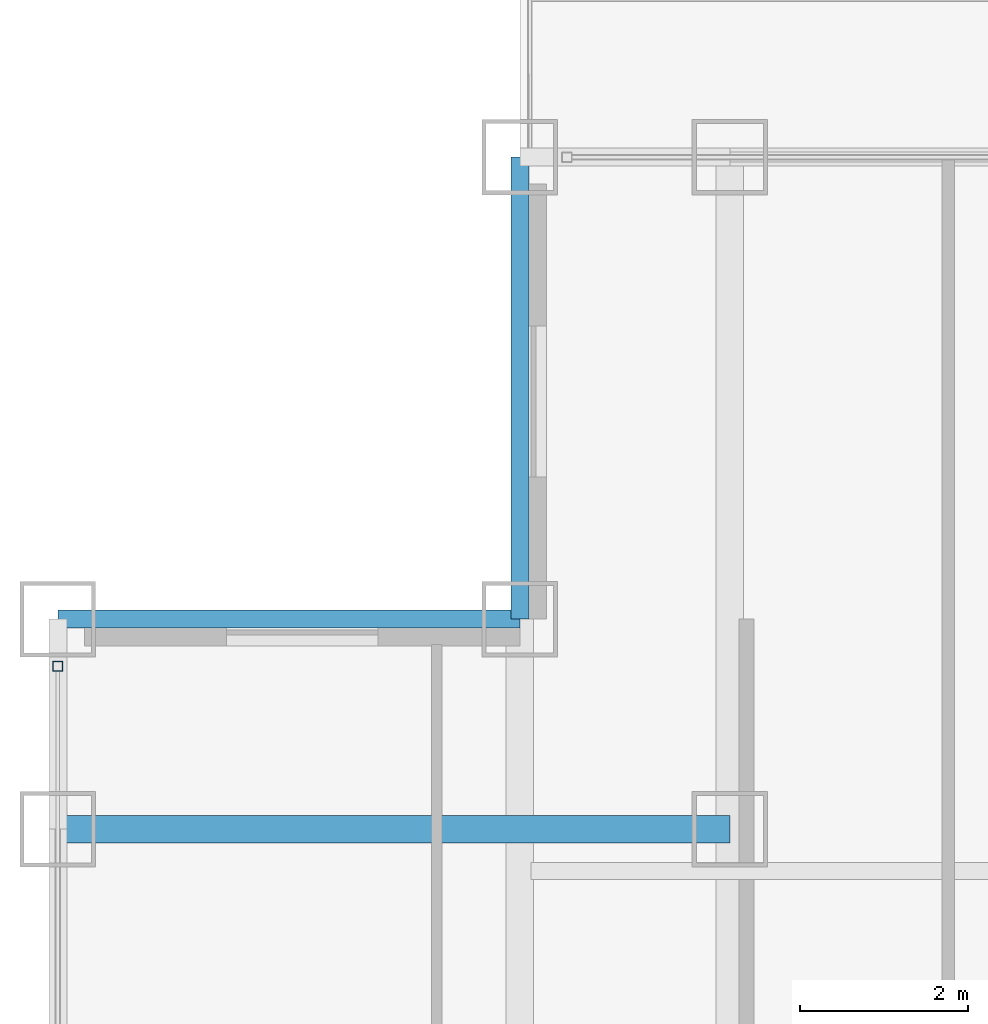
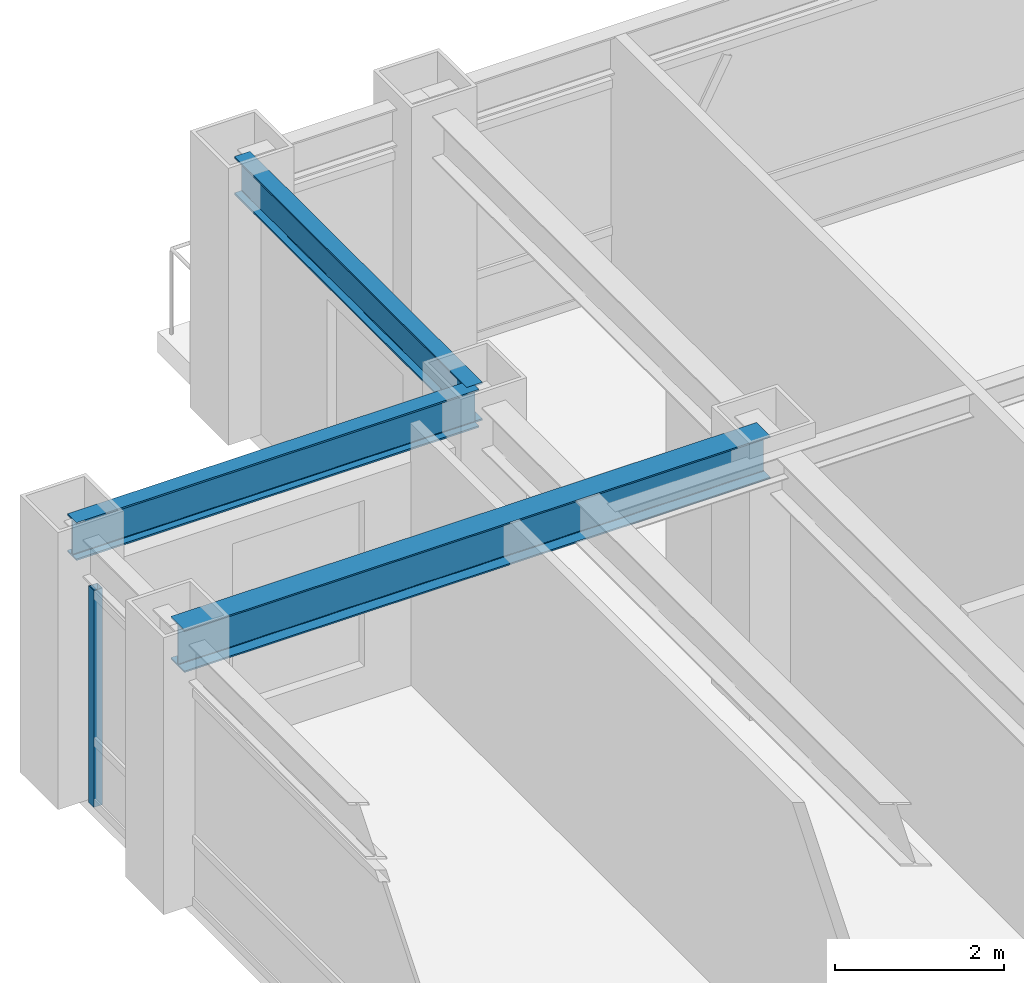
# One storey, part 15 of 32: 3 beams, 1 member, 1 element without a shape of its own.
"""IFC4 building model written with IfcOpenShell, lengths in metres."""

from ifc_helpers import new_model, si_unit, direction, frame, origin, origin_2d, place, context, subcontext, project, spatial, hollow_rectangle, i_section, extrude, source, transform, mapped, material, material_profile, profile_set, type_object, element, aggregate, save


model = new_model("IFC4")

# Units and contexts
model_context = context("Model", 3, precision=1e-05, world=origin(), true_north=direction((0.0, 1.0)))
body_context = subcontext(model_context, "Body", "Model", "MODEL_VIEW")
ifc_project = project(units=[si_unit("LENGTHUNIT", "METRE"), si_unit("AREAUNIT", "SQUARE_METRE"), si_unit("VOLUMEUNIT", "CUBIC_METRE"), si_unit("PLANEANGLEUNIT", "RADIAN"), si_unit("MASSUNIT", "GRAM", prefix="KILO")], contexts=[model_context])

# Site, building, storey
site_placement = place(None, origin())
site = spatial("IfcSite", under=ifc_project, at=site_placement, CompositionType="ELEMENT")
building_placement = place(site_placement, origin())
building = spatial("IfcBuilding", under=site, at=building_placement, Name="Khorayat Bourse Tower", CompositionType="ELEMENT")
storey_placement = place(building_placement, frame((0.0, 0.0, 273.5)))
storey = spatial("IfcBuildingStorey", under=building, at=storey_placement, Name="L64", CompositionType="ELEMENT", Elevation=273.5)

# Beams
ifc_material_1 = material(Name="Steel ASTM A992 Grade 50", Category="steel")
ifc_material_profile_1 = material_profile(ifc_material_1, i_section(OverallWidth=0.324951171875, OverallDepth=0.615966796875, WebThickness=0.013916015625, FlangeThickness=0.021484375, FilletRadius=0.01611328125, at=origin_2d()), Name="W610X174")
ifc_profile_set_1 = profile_set([ifc_material_profile_1], Name="Steel ASTM A992 Grade 50")
beam_type_1 = type_object("IfcBeamType", Name="BM-GIRD-610", PredefinedType="BEAM", material=ifc_profile_set_1)
shared_shape_1 = source(origin(), body_context, "Body", "SweptSolid", [
    extrude(i_section(OverallWidth=0.324951171875, OverallDepth=0.615966796875, WebThickness=0.013916015625, FlangeThickness=0.021484375, FilletRadius=0.01611328125, at=origin_2d()), origin(), (0.0, 0.0, 1.0), 8.0),
])
beam_placement = place(storey_placement, frame((-28.0, 20.0, 3.471923828125), z_axis=(1.0, 0.0, 0.0), x_axis=(0.0, 1.0, 0.0)))
element("IfcBeam", 1, at=beam_placement, inside=storey, type_object=beam_type_1, Name="L64 BM-GIRD-610 BM-L64-CNRX-095", PredefinedType="BEAM", context=body_context, shape_type="MappedRepresentation", body=[
    mapped(shared_shape_1, transform((0.0, 0.0, 0.0), scale=1.0)),
])
ifc_material_profile_2 = material_profile(ifc_material_1, i_section(OverallWidth=0.214111328125, OverallDepth=0.549072265625, WebThickness=0.0146484375, FlangeThickness=0.023681640625, FilletRadius=0.013916015625, at=origin_2d()), Name="W530X138")
ifc_profile_set_2 = profile_set([ifc_material_profile_2], Name="Steel ASTM A992 Grade 50")
beam_type_2 = type_object("IfcBeamType", Name="BM-SPAN-530", PredefinedType="SPANDREL", material=ifc_profile_set_2)
shared_shape_2 = source(origin(), body_context, "Body", "SweptSolid", [
    extrude(i_section(OverallWidth=0.214111328125, OverallDepth=0.549072265625, WebThickness=0.0146484375, FlangeThickness=0.023681640625, FilletRadius=0.013916015625, at=origin_2d()), origin(), (0.0, 0.0, 1.0), 5.5),
])
for number, where, z_axis, x_axis, name in (
    (2, (-22.5, 22.5, 3.505615234375), (0.0, 1.0, 0.0), (-1.0, 0.0, 0.0), "L64 BM-SPAN-530 BM-L64-SPN-052"),
    (3, (-28.0, 22.5, 3.505615234375), (1.0, 0.0, 0.0), (0.0, 1.0, 0.0), "L64 BM-SPAN-530 BM-L64-SPN-053"),
):
    element("IfcBeam", number, at=place(storey_placement, frame(where, z_axis=z_axis, x_axis=x_axis)), inside=storey, type_object=beam_type_2, Name=name, PredefinedType="SPANDREL", context=body_context, shape_type="MappedRepresentation", body=[
        mapped(shared_shape_2, transform((0.0, 0.0, 0.0), scale=1.0)),
    ])

# Curtain wall, member
ifc_material_2 = material(Name="Aluminium EN AW-6063 T6", Category="aluminium")
curtain_wall_type = type_object("IfcCurtainWallType", Name="CW-SYS-04", PredefinedType="NOTDEFINED", material=ifc_material_2)
curtain_wall_placement = place(storey_placement, origin())
curtain_wall = element("IfcCurtainWall", 4, at=curtain_wall_placement, inside=storey, type_object=curtain_wall_type, Name="L64 Curtain Wall CW-L64-W1", PredefinedType="NOTDEFINED")
ifc_material_profile_3 = material_profile(ifc_material_2, hollow_rectangle(XDim=0.1201171875, YDim=0.1201171875, WallThickness=0.0048828125, at=origin_2d()), Name="ALU 120x120x5")
ifc_profile_set_3 = profile_set([ifc_material_profile_3], Name="Aluminium EN AW-6063 T6")
member_type = type_object("IfcMemberType", Name="CWM-VERT-120", PredefinedType="MULLION", material=ifc_profile_set_3)
shared_shape_3 = source(origin(), body_context, "Body", "SweptSolid", [
    extrude(hollow_rectangle(XDim=0.1201171875, YDim=0.1201171875, WallThickness=0.0048828125, at=origin_2d()), origin(), (0.0, 0.0, 1.0), 3.1298828125),
])
member_placement = place(storey_placement, frame((-28.0, 21.93994140625, 0.0), z_axis=(0.0, 0.0, 1.0), x_axis=(-1.0, 0.0, 0.0)))
member = element("IfcMember", 5, at=member_placement, type_object=member_type, Name="CW-L64-W1 Vertical Mullion 3", PredefinedType="MULLION", context=body_context, shape_type="MappedRepresentation", body=[
    mapped(shared_shape_3, transform((0.0, 0.0, 0.0), scale=1.0)),
])
aggregate(curtain_wall, [member])

save(model, "model.ifc")
